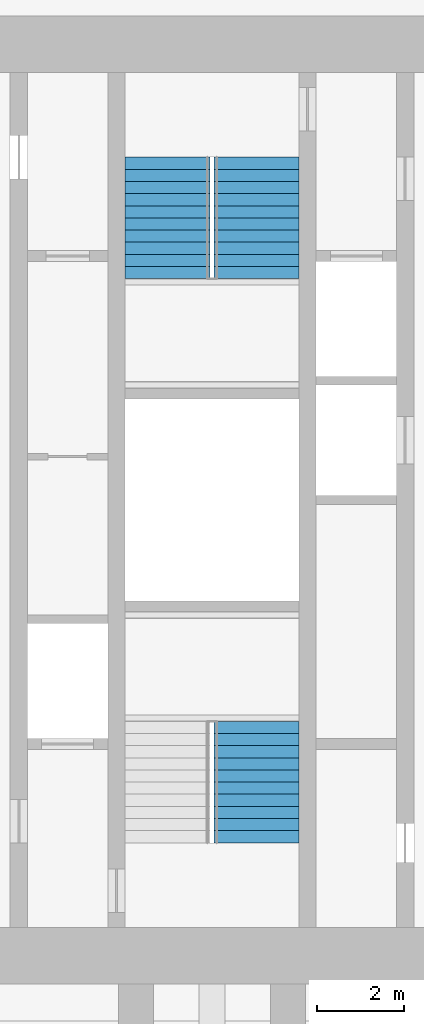
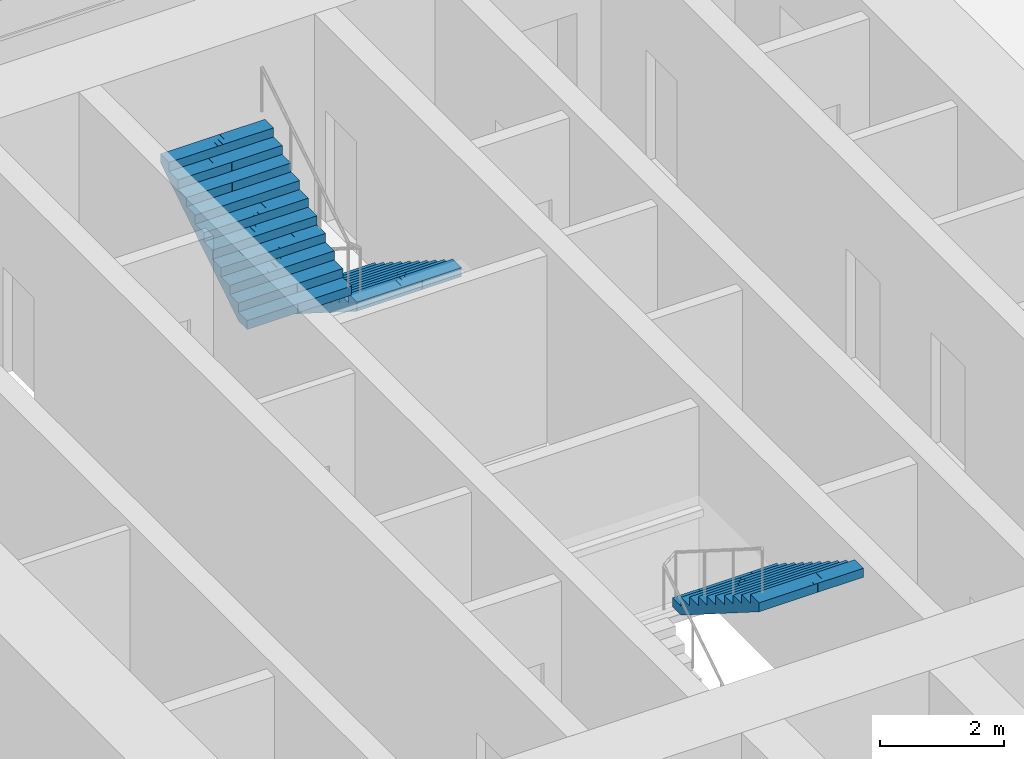
# One storey, part 14 of 15: 3 stair flights, 2 elements without a shape of their own.
"""IFC4 building model written with IfcOpenShell, lengths in metres."""

from ifc_helpers import new_model, si_unit, direction, frame, origin, place, context, subcontext, project, spatial, polyline, outline, extrude, material, type_object, element, aggregate, save


model = new_model("IFC4")

# Units and contexts
model_context = context("Model", 3, precision=1e-05, world=origin(), true_north=direction((0.0, 1.0)))
body_context = subcontext(model_context, "Body", "Model", "MODEL_VIEW")
ifc_project = project(units=[si_unit("LENGTHUNIT", "METRE"), si_unit("AREAUNIT", "SQUARE_METRE"), si_unit("VOLUMEUNIT", "CUBIC_METRE"), si_unit("PLANEANGLEUNIT", "RADIAN"), si_unit("MASSUNIT", "GRAM", prefix="KILO")], contexts=[model_context])

# Site, building, storey
site_placement = place(None, origin())
site = spatial("IfcSite", under=ifc_project, at=site_placement, CompositionType="ELEMENT")
building_placement = place(site_placement, origin())
building = spatial("IfcBuilding", under=site, at=building_placement, Name="Mizan Broadcast Tower", CompositionType="ELEMENT")
storey_placement = place(building_placement, frame((0.0, 0.0, 282.89990234375)))
storey = spatial("IfcBuildingStorey", under=building, at=storey_placement, Name="L67", CompositionType="ELEMENT", Elevation=282.89990234375)

# Stair, stair flight
ifc_material_1 = material(Name="Concrete C40/50", Category="concrete")
stair_type = type_object("IfcStairType", Name="EXIT STAIR", PredefinedType="HALF_TURN_STAIR", material=ifc_material_1)
stair_1_placement = place(storey_placement, origin())
stair_1 = element("IfcStair", 1, at=stair_1_placement, inside=storey, type_object=stair_type, Name="Stair A L67", PredefinedType="HALF_TURN_STAIR")
ifc_material_2 = material(Name="Concrete C40/50", Category="concrete")
stair_flight_type = type_object("IfcStairFlightType", Name="EXIT STAIR FLIGHT", PredefinedType="STRAIGHT", material=ifc_material_2)
stair_flight_1_placement = place(storey_placement, frame((1.02490234375, -5.10009765625, 1.9501953125), z_axis=(0.0, 0.0, 1.0), x_axis=(0.0, -1.0, 0.0)))
stair_flight_1 = element("IfcStairFlight", 2, at=stair_flight_1_placement, type_object=stair_flight_type, Name="A flight 2", NumberOfRisers=11, NumberOfTreads=10, PredefinedType="STRAIGHT", RiserHeight=0.177272727, TreadLength=0.28, context=body_context, shape_type="SweptSolid", body=[
    extrude(outline(polyline([(0.0, 0.0), (0.0, 0.17724609375), (0.280029296875, 0.17724609375), (0.280029296875, 0.3544921875), (0.56005859375, 0.3544921875), (0.56005859375, 0.53173828125), (0.840087890625, 0.53173828125), (0.840087890625, 0.708984375), (1.1201171875, 0.708984375), (1.1201171875, 0.886474609375), (1.39990234375, 0.886474609375), (1.39990234375, 1.063720703125), (1.679931640625, 1.063720703125), (1.679931640625, 1.240966796875), (1.9599609375, 1.240966796875), (1.9599609375, 1.418212890625), (2.239990234375, 1.418212890625), (2.239990234375, 1.595458984375), (2.52001953125, 1.595458984375), (2.52001953125, 1.772705078125), (2.800048828125, 1.772705078125), (2.800048828125, 1.949951171875), (2.800048828125, 1.59521484375), (0.2802734375, 0.0), (0.0, 0.0)])), frame((0.0, 0.97509765625, 0.0), z_axis=(0.0, -1.0, 0.0), x_axis=(1.0, 0.0, 0.0)), (0.0, 0.0, 1.0), 0.4873046875),
    extrude(outline(polyline([(0.0, 0.0), (0.0, 0.17724609375), (0.280029296875, 0.17724609375), (0.280029296875, 0.3544921875), (0.56005859375, 0.3544921875), (0.56005859375, 0.53173828125), (0.840087890625, 0.53173828125), (0.840087890625, 0.708984375), (1.1201171875, 0.708984375), (1.1201171875, 0.886474609375), (1.39990234375, 0.886474609375), (1.39990234375, 1.063720703125), (1.679931640625, 1.063720703125), (1.679931640625, 1.240966796875), (1.9599609375, 1.240966796875), (1.9599609375, 1.418212890625), (2.239990234375, 1.418212890625), (2.239990234375, 1.595458984375), (2.52001953125, 1.595458984375), (2.52001953125, 1.772705078125), (2.800048828125, 1.772705078125), (2.800048828125, 1.949951171875), (2.800048828125, 1.59521484375), (0.2802734375, 0.0), (0.0, 0.0)])), frame((0.0, 0.4873046875, 0.0), z_axis=(0.0, -1.0, 0.0), x_axis=(1.0, 0.0, 0.0)), (0.0, 0.0, 1.0), 0.2431640625),
    extrude(outline(polyline([(0.0, 0.0), (0.0, 0.17724609375), (0.280029296875, 0.17724609375), (0.280029296875, 0.3544921875), (0.56005859375, 0.3544921875), (0.56005859375, 0.53173828125), (0.840087890625, 0.53173828125), (0.840087890625, 0.708984375), (1.1201171875, 0.708984375), (1.1201171875, 0.886474609375), (1.39990234375, 0.886474609375), (1.39990234375, 1.063720703125), (1.679931640625, 1.063720703125), (1.679931640625, 1.240966796875), (1.9599609375, 1.240966796875), (1.9599609375, 1.418212890625), (2.239990234375, 1.418212890625), (2.239990234375, 1.595458984375), (2.52001953125, 1.595458984375), (2.52001953125, 1.772705078125), (2.800048828125, 1.772705078125), (2.800048828125, 1.949951171875), (2.800048828125, 1.59521484375), (0.2802734375, 0.0), (0.0, 0.0)])), frame((0.0, 0.24365234375, 0.0), z_axis=(0.0, -1.0, 0.0), x_axis=(1.0, 0.0, 0.0)), (0.0, 0.0, 1.0), 0.121337890625),
    extrude(outline(polyline([(0.0, 0.0), (0.0, 0.17724609375), (0.280029296875, 0.17724609375), (0.280029296875, 0.3544921875), (0.56005859375, 0.3544921875), (0.56005859375, 0.53173828125), (0.840087890625, 0.53173828125), (0.840087890625, 0.708984375), (1.1201171875, 0.708984375), (1.1201171875, 0.886474609375), (1.39990234375, 0.886474609375), (1.39990234375, 1.063720703125), (1.679931640625, 1.063720703125), (1.679931640625, 1.240966796875), (1.9599609375, 1.240966796875), (1.9599609375, 1.418212890625), (2.239990234375, 1.418212890625), (2.239990234375, 1.595458984375), (2.52001953125, 1.595458984375), (2.52001953125, 1.772705078125), (2.800048828125, 1.772705078125), (2.800048828125, 1.949951171875), (2.800048828125, 1.59521484375), (0.2802734375, 0.0), (0.0, 0.0)])), frame((0.0, 0.121826171875, 0.0), z_axis=(0.0, -1.0, 0.0), x_axis=(1.0, 0.0, 0.0)), (0.0, 0.0, 1.0), 0.060546875),
    extrude(outline(polyline([(0.0, 0.0), (0.0, 0.17724609375), (0.280029296875, 0.17724609375), (0.280029296875, 0.3544921875), (0.56005859375, 0.3544921875), (0.56005859375, 0.53173828125), (0.840087890625, 0.53173828125), (0.840087890625, 0.708984375), (1.1201171875, 0.708984375), (1.1201171875, 0.886474609375), (1.39990234375, 0.886474609375), (1.39990234375, 1.063720703125), (1.679931640625, 1.063720703125), (1.679931640625, 1.240966796875), (1.9599609375, 1.240966796875), (1.9599609375, 1.418212890625), (2.239990234375, 1.418212890625), (2.239990234375, 1.595458984375), (2.52001953125, 1.595458984375), (2.52001953125, 1.772705078125), (2.800048828125, 1.772705078125), (2.800048828125, 1.949951171875), (2.800048828125, 1.59521484375), (0.2802734375, 0.0), (0.0, 0.0)])), frame((0.0, 0.060791015625, 0.0), z_axis=(0.0, -1.0, 0.0), x_axis=(1.0, 0.0, 0.0)), (0.0, 0.0, 1.0), 0.030029296875),
    extrude(outline(polyline([(0.0, 0.0), (0.0, 0.17724609375), (0.280029296875, 0.17724609375), (0.280029296875, 0.3544921875), (0.56005859375, 0.3544921875), (0.56005859375, 0.53173828125), (0.840087890625, 0.53173828125), (0.840087890625, 0.708984375), (1.1201171875, 0.708984375), (1.1201171875, 0.886474609375), (1.39990234375, 0.886474609375), (1.39990234375, 1.063720703125), (1.679931640625, 1.063720703125), (1.679931640625, 1.240966796875), (1.9599609375, 1.240966796875), (1.9599609375, 1.418212890625), (2.239990234375, 1.418212890625), (2.239990234375, 1.595458984375), (2.52001953125, 1.595458984375), (2.52001953125, 1.772705078125), (2.800048828125, 1.772705078125), (2.800048828125, 1.949951171875), (2.800048828125, 1.59521484375), (0.2802734375, 0.0), (0.0, 0.0)])), frame((0.0, 0.0302734375, 0.0), z_axis=(0.0, -1.0, 0.0), x_axis=(1.0, 0.0, 0.0)), (0.0, 0.0, 1.0), 0.060302734375),
    extrude(outline(polyline([(0.0, 0.0), (0.0, 0.17724609375), (0.280029296875, 0.17724609375), (0.280029296875, 0.3544921875), (0.56005859375, 0.3544921875), (0.56005859375, 0.53173828125), (0.840087890625, 0.53173828125), (0.840087890625, 0.708984375), (1.1201171875, 0.708984375), (1.1201171875, 0.886474609375), (1.39990234375, 0.886474609375), (1.39990234375, 1.063720703125), (1.679931640625, 1.063720703125), (1.679931640625, 1.240966796875), (1.9599609375, 1.240966796875), (1.9599609375, 1.418212890625), (2.239990234375, 1.418212890625), (2.239990234375, 1.595458984375), (2.52001953125, 1.595458984375), (2.52001953125, 1.772705078125), (2.800048828125, 1.772705078125), (2.800048828125, 1.949951171875), (2.800048828125, 1.59521484375), (0.2802734375, 0.0), (0.0, 0.0)])), frame((0.0, -0.030517578125, 0.0), z_axis=(0.0, -1.0, 0.0), x_axis=(1.0, 0.0, 0.0)), (0.0, 0.0, 1.0), 0.030029296875),
    extrude(outline(polyline([(0.0, 0.0), (0.0, 0.17724609375), (0.280029296875, 0.17724609375), (0.280029296875, 0.3544921875), (0.56005859375, 0.3544921875), (0.56005859375, 0.53173828125), (0.840087890625, 0.53173828125), (0.840087890625, 0.708984375), (1.1201171875, 0.708984375), (1.1201171875, 0.886474609375), (1.39990234375, 0.886474609375), (1.39990234375, 1.063720703125), (1.679931640625, 1.063720703125), (1.679931640625, 1.240966796875), (1.9599609375, 1.240966796875), (1.9599609375, 1.418212890625), (2.239990234375, 1.418212890625), (2.239990234375, 1.595458984375), (2.52001953125, 1.595458984375), (2.52001953125, 1.772705078125), (2.800048828125, 1.772705078125), (2.800048828125, 1.949951171875), (2.800048828125, 1.59521484375), (0.2802734375, 0.0), (0.0, 0.0)])), frame((0.0, -0.06103515625, 0.0), z_axis=(0.0, -1.0, 0.0), x_axis=(1.0, 0.0, 0.0)), (0.0, 0.0, 1.0), 0.060546875),
    extrude(outline(polyline([(0.0, 0.0), (0.0, 0.17724609375), (0.280029296875, 0.17724609375), (0.280029296875, 0.3544921875), (0.56005859375, 0.3544921875), (0.56005859375, 0.53173828125), (0.840087890625, 0.53173828125), (0.840087890625, 0.708984375), (1.1201171875, 0.708984375), (1.1201171875, 0.886474609375), (1.39990234375, 0.886474609375), (1.39990234375, 1.063720703125), (1.679931640625, 1.063720703125), (1.679931640625, 1.240966796875), (1.9599609375, 1.240966796875), (1.9599609375, 1.418212890625), (2.239990234375, 1.418212890625), (2.239990234375, 1.595458984375), (2.52001953125, 1.595458984375), (2.52001953125, 1.772705078125), (2.800048828125, 1.772705078125), (2.800048828125, 1.949951171875), (2.800048828125, 1.59521484375), (0.2802734375, 0.0), (0.0, 0.0)])), frame((0.0, -0.1220703125, 0.0), z_axis=(0.0, -1.0, 0.0), x_axis=(1.0, 0.0, 0.0)), (0.0, 0.0, 1.0), 0.121337890625),
    extrude(outline(polyline([(0.0, 0.0), (0.0, 0.17724609375), (0.280029296875, 0.17724609375), (0.280029296875, 0.3544921875), (0.56005859375, 0.3544921875), (0.56005859375, 0.53173828125), (0.840087890625, 0.53173828125), (0.840087890625, 0.708984375), (1.1201171875, 0.708984375), (1.1201171875, 0.886474609375), (1.39990234375, 0.886474609375), (1.39990234375, 1.063720703125), (1.679931640625, 1.063720703125), (1.679931640625, 1.240966796875), (1.9599609375, 1.240966796875), (1.9599609375, 1.418212890625), (2.239990234375, 1.418212890625), (2.239990234375, 1.595458984375), (2.52001953125, 1.595458984375), (2.52001953125, 1.772705078125), (2.800048828125, 1.772705078125), (2.800048828125, 1.949951171875), (2.800048828125, 1.59521484375), (0.2802734375, 0.0), (0.0, 0.0)])), frame((0.0, -0.243896484375, 0.0), z_axis=(0.0, -1.0, 0.0), x_axis=(1.0, 0.0, 0.0)), (0.0, 0.0, 1.0), 0.2431640625),
    extrude(outline(polyline([(0.0, 0.0), (0.0, 0.17724609375), (0.280029296875, 0.17724609375), (0.280029296875, 0.3544921875), (0.56005859375, 0.3544921875), (0.56005859375, 0.53173828125), (0.840087890625, 0.53173828125), (0.840087890625, 0.708984375), (1.1201171875, 0.708984375), (1.1201171875, 0.886474609375), (1.39990234375, 0.886474609375), (1.39990234375, 1.063720703125), (1.679931640625, 1.063720703125), (1.679931640625, 1.240966796875), (1.9599609375, 1.240966796875), (1.9599609375, 1.418212890625), (2.239990234375, 1.418212890625), (2.239990234375, 1.595458984375), (2.52001953125, 1.595458984375), (2.52001953125, 1.772705078125), (2.800048828125, 1.772705078125), (2.800048828125, 1.949951171875), (2.800048828125, 1.59521484375), (0.2802734375, 0.0), (0.0, 0.0)])), frame((0.0, -0.487548828125, 0.0), z_axis=(0.0, -1.0, 0.0), x_axis=(1.0, 0.0, 0.0)), (0.0, 0.0, 1.0), 0.4873046875),
])
aggregate(stair_1, [stair_flight_1])

# Stair, stair flights
stair_2_placement = place(storey_placement, origin())
stair_2 = element("IfcStair", 3, at=stair_2_placement, inside=storey, type_object=stair_type, Name="Stair B L67", PredefinedType="HALF_TURN_STAIR")
stair_flight_2_placement = place(storey_placement, frame((1.02490234375, 7.89990234375, 0.0), z_axis=(0.0, 0.0, 1.0), x_axis=(0.0, -1.0, 0.0)))
stair_flight_2 = element("IfcStairFlight", 4, at=stair_flight_2_placement, type_object=stair_flight_type, Name="B flight 1", NumberOfRisers=11, NumberOfTreads=10, PredefinedType="STRAIGHT", RiserHeight=0.177272727, TreadLength=0.28, context=body_context, shape_type="SweptSolid", body=[
    extrude(outline(polyline([(0.0, 0.0), (0.0, 0.17724609375), (0.280029296875, 0.17724609375), (0.280029296875, 0.3544921875), (0.56005859375, 0.3544921875), (0.56005859375, 0.53173828125), (0.840087890625, 0.53173828125), (0.840087890625, 0.708984375), (1.1201171875, 0.708984375), (1.1201171875, 0.886474609375), (1.39990234375, 0.886474609375), (1.39990234375, 1.063720703125), (1.679931640625, 1.063720703125), (1.679931640625, 1.240966796875), (1.9599609375, 1.240966796875), (1.9599609375, 1.418212890625), (2.239990234375, 1.418212890625), (2.239990234375, 1.595458984375), (2.52001953125, 1.595458984375), (2.52001953125, 1.772705078125), (2.800048828125, 1.772705078125), (2.800048828125, 1.949951171875), (2.800048828125, 1.59521484375), (0.2802734375, 0.0), (0.0, 0.0)])), frame((0.0, 0.97509765625, 0.0), z_axis=(0.0, -1.0, 0.0), x_axis=(1.0, 0.0, 0.0)), (0.0, 0.0, 1.0), 0.4873046875),
    extrude(outline(polyline([(0.0, 0.0), (0.0, 0.17724609375), (0.280029296875, 0.17724609375), (0.280029296875, 0.3544921875), (0.56005859375, 0.3544921875), (0.56005859375, 0.53173828125), (0.840087890625, 0.53173828125), (0.840087890625, 0.708984375), (1.1201171875, 0.708984375), (1.1201171875, 0.886474609375), (1.39990234375, 0.886474609375), (1.39990234375, 1.063720703125), (1.679931640625, 1.063720703125), (1.679931640625, 1.240966796875), (1.9599609375, 1.240966796875), (1.9599609375, 1.418212890625), (2.239990234375, 1.418212890625), (2.239990234375, 1.595458984375), (2.52001953125, 1.595458984375), (2.52001953125, 1.772705078125), (2.800048828125, 1.772705078125), (2.800048828125, 1.949951171875), (2.800048828125, 1.59521484375), (0.2802734375, 0.0), (0.0, 0.0)])), frame((0.0, 0.4873046875, 0.0), z_axis=(0.0, -1.0, 0.0), x_axis=(1.0, 0.0, 0.0)), (0.0, 0.0, 1.0), 0.2431640625),
    extrude(outline(polyline([(0.0, 0.0), (0.0, 0.17724609375), (0.280029296875, 0.17724609375), (0.280029296875, 0.3544921875), (0.56005859375, 0.3544921875), (0.56005859375, 0.53173828125), (0.840087890625, 0.53173828125), (0.840087890625, 0.708984375), (1.1201171875, 0.708984375), (1.1201171875, 0.886474609375), (1.39990234375, 0.886474609375), (1.39990234375, 1.063720703125), (1.679931640625, 1.063720703125), (1.679931640625, 1.240966796875), (1.9599609375, 1.240966796875), (1.9599609375, 1.418212890625), (2.239990234375, 1.418212890625), (2.239990234375, 1.595458984375), (2.52001953125, 1.595458984375), (2.52001953125, 1.772705078125), (2.800048828125, 1.772705078125), (2.800048828125, 1.949951171875), (2.800048828125, 1.59521484375), (0.2802734375, 0.0), (0.0, 0.0)])), frame((0.0, 0.24365234375, 0.0), z_axis=(0.0, -1.0, 0.0), x_axis=(1.0, 0.0, 0.0)), (0.0, 0.0, 1.0), 0.121337890625),
    extrude(outline(polyline([(0.0, 0.0), (0.0, 0.17724609375), (0.280029296875, 0.17724609375), (0.280029296875, 0.3544921875), (0.56005859375, 0.3544921875), (0.56005859375, 0.53173828125), (0.840087890625, 0.53173828125), (0.840087890625, 0.708984375), (1.1201171875, 0.708984375), (1.1201171875, 0.886474609375), (1.39990234375, 0.886474609375), (1.39990234375, 1.063720703125), (1.679931640625, 1.063720703125), (1.679931640625, 1.240966796875), (1.9599609375, 1.240966796875), (1.9599609375, 1.418212890625), (2.239990234375, 1.418212890625), (2.239990234375, 1.595458984375), (2.52001953125, 1.595458984375), (2.52001953125, 1.772705078125), (2.800048828125, 1.772705078125), (2.800048828125, 1.949951171875), (2.800048828125, 1.59521484375), (0.2802734375, 0.0), (0.0, 0.0)])), frame((0.0, 0.121826171875, 0.0), z_axis=(0.0, -1.0, 0.0), x_axis=(1.0, 0.0, 0.0)), (0.0, 0.0, 1.0), 0.060546875),
    extrude(outline(polyline([(0.0, 0.0), (0.0, 0.17724609375), (0.280029296875, 0.17724609375), (0.280029296875, 0.3544921875), (0.56005859375, 0.3544921875), (0.56005859375, 0.53173828125), (0.840087890625, 0.53173828125), (0.840087890625, 0.708984375), (1.1201171875, 0.708984375), (1.1201171875, 0.886474609375), (1.39990234375, 0.886474609375), (1.39990234375, 1.063720703125), (1.679931640625, 1.063720703125), (1.679931640625, 1.240966796875), (1.9599609375, 1.240966796875), (1.9599609375, 1.418212890625), (2.239990234375, 1.418212890625), (2.239990234375, 1.595458984375), (2.52001953125, 1.595458984375), (2.52001953125, 1.772705078125), (2.800048828125, 1.772705078125), (2.800048828125, 1.949951171875), (2.800048828125, 1.59521484375), (0.2802734375, 0.0), (0.0, 0.0)])), frame((0.0, 0.060791015625, 0.0), z_axis=(0.0, -1.0, 0.0), x_axis=(1.0, 0.0, 0.0)), (0.0, 0.0, 1.0), 0.030029296875),
    extrude(outline(polyline([(0.0, 0.0), (0.0, 0.17724609375), (0.280029296875, 0.17724609375), (0.280029296875, 0.3544921875), (0.56005859375, 0.3544921875), (0.56005859375, 0.53173828125), (0.840087890625, 0.53173828125), (0.840087890625, 0.708984375), (1.1201171875, 0.708984375), (1.1201171875, 0.886474609375), (1.39990234375, 0.886474609375), (1.39990234375, 1.063720703125), (1.679931640625, 1.063720703125), (1.679931640625, 1.240966796875), (1.9599609375, 1.240966796875), (1.9599609375, 1.418212890625), (2.239990234375, 1.418212890625), (2.239990234375, 1.595458984375), (2.52001953125, 1.595458984375), (2.52001953125, 1.772705078125), (2.800048828125, 1.772705078125), (2.800048828125, 1.949951171875), (2.800048828125, 1.59521484375), (0.2802734375, 0.0), (0.0, 0.0)])), frame((0.0, 0.0302734375, 0.0), z_axis=(0.0, -1.0, 0.0), x_axis=(1.0, 0.0, 0.0)), (0.0, 0.0, 1.0), 0.060302734375),
    extrude(outline(polyline([(0.0, 0.0), (0.0, 0.17724609375), (0.280029296875, 0.17724609375), (0.280029296875, 0.3544921875), (0.56005859375, 0.3544921875), (0.56005859375, 0.53173828125), (0.840087890625, 0.53173828125), (0.840087890625, 0.708984375), (1.1201171875, 0.708984375), (1.1201171875, 0.886474609375), (1.39990234375, 0.886474609375), (1.39990234375, 1.063720703125), (1.679931640625, 1.063720703125), (1.679931640625, 1.240966796875), (1.9599609375, 1.240966796875), (1.9599609375, 1.418212890625), (2.239990234375, 1.418212890625), (2.239990234375, 1.595458984375), (2.52001953125, 1.595458984375), (2.52001953125, 1.772705078125), (2.800048828125, 1.772705078125), (2.800048828125, 1.949951171875), (2.800048828125, 1.59521484375), (0.2802734375, 0.0), (0.0, 0.0)])), frame((0.0, -0.030517578125, 0.0), z_axis=(0.0, -1.0, 0.0), x_axis=(1.0, 0.0, 0.0)), (0.0, 0.0, 1.0), 0.030029296875),
    extrude(outline(polyline([(0.0, 0.0), (0.0, 0.17724609375), (0.280029296875, 0.17724609375), (0.280029296875, 0.3544921875), (0.56005859375, 0.3544921875), (0.56005859375, 0.53173828125), (0.840087890625, 0.53173828125), (0.840087890625, 0.708984375), (1.1201171875, 0.708984375), (1.1201171875, 0.886474609375), (1.39990234375, 0.886474609375), (1.39990234375, 1.063720703125), (1.679931640625, 1.063720703125), (1.679931640625, 1.240966796875), (1.9599609375, 1.240966796875), (1.9599609375, 1.418212890625), (2.239990234375, 1.418212890625), (2.239990234375, 1.595458984375), (2.52001953125, 1.595458984375), (2.52001953125, 1.772705078125), (2.800048828125, 1.772705078125), (2.800048828125, 1.949951171875), (2.800048828125, 1.59521484375), (0.2802734375, 0.0), (0.0, 0.0)])), frame((0.0, -0.06103515625, 0.0), z_axis=(0.0, -1.0, 0.0), x_axis=(1.0, 0.0, 0.0)), (0.0, 0.0, 1.0), 0.060546875),
    extrude(outline(polyline([(0.0, 0.0), (0.0, 0.17724609375), (0.280029296875, 0.17724609375), (0.280029296875, 0.3544921875), (0.56005859375, 0.3544921875), (0.56005859375, 0.53173828125), (0.840087890625, 0.53173828125), (0.840087890625, 0.708984375), (1.1201171875, 0.708984375), (1.1201171875, 0.886474609375), (1.39990234375, 0.886474609375), (1.39990234375, 1.063720703125), (1.679931640625, 1.063720703125), (1.679931640625, 1.240966796875), (1.9599609375, 1.240966796875), (1.9599609375, 1.418212890625), (2.239990234375, 1.418212890625), (2.239990234375, 1.595458984375), (2.52001953125, 1.595458984375), (2.52001953125, 1.772705078125), (2.800048828125, 1.772705078125), (2.800048828125, 1.949951171875), (2.800048828125, 1.59521484375), (0.2802734375, 0.0), (0.0, 0.0)])), frame((0.0, -0.1220703125, 0.0), z_axis=(0.0, -1.0, 0.0), x_axis=(1.0, 0.0, 0.0)), (0.0, 0.0, 1.0), 0.121337890625),
    extrude(outline(polyline([(0.0, 0.0), (0.0, 0.17724609375), (0.280029296875, 0.17724609375), (0.280029296875, 0.3544921875), (0.56005859375, 0.3544921875), (0.56005859375, 0.53173828125), (0.840087890625, 0.53173828125), (0.840087890625, 0.708984375), (1.1201171875, 0.708984375), (1.1201171875, 0.886474609375), (1.39990234375, 0.886474609375), (1.39990234375, 1.063720703125), (1.679931640625, 1.063720703125), (1.679931640625, 1.240966796875), (1.9599609375, 1.240966796875), (1.9599609375, 1.418212890625), (2.239990234375, 1.418212890625), (2.239990234375, 1.595458984375), (2.52001953125, 1.595458984375), (2.52001953125, 1.772705078125), (2.800048828125, 1.772705078125), (2.800048828125, 1.949951171875), (2.800048828125, 1.59521484375), (0.2802734375, 0.0), (0.0, 0.0)])), frame((0.0, -0.243896484375, 0.0), z_axis=(0.0, -1.0, 0.0), x_axis=(1.0, 0.0, 0.0)), (0.0, 0.0, 1.0), 0.2431640625),
    extrude(outline(polyline([(0.0, 0.0), (0.0, 0.17724609375), (0.280029296875, 0.17724609375), (0.280029296875, 0.3544921875), (0.56005859375, 0.3544921875), (0.56005859375, 0.53173828125), (0.840087890625, 0.53173828125), (0.840087890625, 0.708984375), (1.1201171875, 0.708984375), (1.1201171875, 0.886474609375), (1.39990234375, 0.886474609375), (1.39990234375, 1.063720703125), (1.679931640625, 1.063720703125), (1.679931640625, 1.240966796875), (1.9599609375, 1.240966796875), (1.9599609375, 1.418212890625), (2.239990234375, 1.418212890625), (2.239990234375, 1.595458984375), (2.52001953125, 1.595458984375), (2.52001953125, 1.772705078125), (2.800048828125, 1.772705078125), (2.800048828125, 1.949951171875), (2.800048828125, 1.59521484375), (0.2802734375, 0.0), (0.0, 0.0)])), frame((0.0, -0.487548828125, 0.0), z_axis=(0.0, -1.0, 0.0), x_axis=(1.0, 0.0, 0.0)), (0.0, 0.0, 1.0), 0.4873046875),
])
stair_flight_3_placement = place(storey_placement, frame((-1.02490234375, 5.10009765625, 1.9501953125), z_axis=(0.0, 0.0, 1.0), x_axis=(0.0, 1.0, 0.0)))
stair_flight_3 = element("IfcStairFlight", 5, at=stair_flight_3_placement, type_object=stair_flight_type, Name="B flight 2", NumberOfRisers=11, NumberOfTreads=10, PredefinedType="STRAIGHT", RiserHeight=0.177272727, TreadLength=0.28, context=body_context, shape_type="SweptSolid", body=[
    extrude(outline(polyline([(0.0, 0.0), (0.0, 0.17724609375), (0.280029296875, 0.17724609375), (0.280029296875, 0.3544921875), (0.56005859375, 0.3544921875), (0.56005859375, 0.53173828125), (0.840087890625, 0.53173828125), (0.840087890625, 0.708984375), (1.1201171875, 0.708984375), (1.1201171875, 0.886474609375), (1.39990234375, 0.886474609375), (1.39990234375, 1.063720703125), (1.679931640625, 1.063720703125), (1.679931640625, 1.240966796875), (1.9599609375, 1.240966796875), (1.9599609375, 1.418212890625), (2.239990234375, 1.418212890625), (2.239990234375, 1.595458984375), (2.52001953125, 1.595458984375), (2.52001953125, 1.772705078125), (2.800048828125, 1.772705078125), (2.800048828125, 1.949951171875), (2.800048828125, 1.59521484375), (0.2802734375, 0.0), (0.0, 0.0)])), frame((0.0, 0.97509765625, 0.0), z_axis=(0.0, -1.0, 0.0), x_axis=(1.0, 0.0, 0.0)), (0.0, 0.0, 1.0), 0.4873046875),
    extrude(outline(polyline([(0.0, 0.0), (0.0, 0.17724609375), (0.280029296875, 0.17724609375), (0.280029296875, 0.3544921875), (0.56005859375, 0.3544921875), (0.56005859375, 0.53173828125), (0.840087890625, 0.53173828125), (0.840087890625, 0.708984375), (1.1201171875, 0.708984375), (1.1201171875, 0.886474609375), (1.39990234375, 0.886474609375), (1.39990234375, 1.063720703125), (1.679931640625, 1.063720703125), (1.679931640625, 1.240966796875), (1.9599609375, 1.240966796875), (1.9599609375, 1.418212890625), (2.239990234375, 1.418212890625), (2.239990234375, 1.595458984375), (2.52001953125, 1.595458984375), (2.52001953125, 1.772705078125), (2.800048828125, 1.772705078125), (2.800048828125, 1.949951171875), (2.800048828125, 1.59521484375), (0.2802734375, 0.0), (0.0, 0.0)])), frame((0.0, 0.4873046875, 0.0), z_axis=(0.0, -1.0, 0.0), x_axis=(1.0, 0.0, 0.0)), (0.0, 0.0, 1.0), 0.2431640625),
    extrude(outline(polyline([(0.0, 0.0), (0.0, 0.17724609375), (0.280029296875, 0.17724609375), (0.280029296875, 0.3544921875), (0.56005859375, 0.3544921875), (0.56005859375, 0.53173828125), (0.840087890625, 0.53173828125), (0.840087890625, 0.708984375), (1.1201171875, 0.708984375), (1.1201171875, 0.886474609375), (1.39990234375, 0.886474609375), (1.39990234375, 1.063720703125), (1.679931640625, 1.063720703125), (1.679931640625, 1.240966796875), (1.9599609375, 1.240966796875), (1.9599609375, 1.418212890625), (2.239990234375, 1.418212890625), (2.239990234375, 1.595458984375), (2.52001953125, 1.595458984375), (2.52001953125, 1.772705078125), (2.800048828125, 1.772705078125), (2.800048828125, 1.949951171875), (2.800048828125, 1.59521484375), (0.2802734375, 0.0), (0.0, 0.0)])), frame((0.0, 0.24365234375, 0.0), z_axis=(0.0, -1.0, 0.0), x_axis=(1.0, 0.0, 0.0)), (0.0, 0.0, 1.0), 0.121337890625),
    extrude(outline(polyline([(0.0, 0.0), (0.0, 0.17724609375), (0.280029296875, 0.17724609375), (0.280029296875, 0.3544921875), (0.56005859375, 0.3544921875), (0.56005859375, 0.53173828125), (0.840087890625, 0.53173828125), (0.840087890625, 0.708984375), (1.1201171875, 0.708984375), (1.1201171875, 0.886474609375), (1.39990234375, 0.886474609375), (1.39990234375, 1.063720703125), (1.679931640625, 1.063720703125), (1.679931640625, 1.240966796875), (1.9599609375, 1.240966796875), (1.9599609375, 1.418212890625), (2.239990234375, 1.418212890625), (2.239990234375, 1.595458984375), (2.52001953125, 1.595458984375), (2.52001953125, 1.772705078125), (2.800048828125, 1.772705078125), (2.800048828125, 1.949951171875), (2.800048828125, 1.59521484375), (0.2802734375, 0.0), (0.0, 0.0)])), frame((0.0, 0.121826171875, 0.0), z_axis=(0.0, -1.0, 0.0), x_axis=(1.0, 0.0, 0.0)), (0.0, 0.0, 1.0), 0.060546875),
    extrude(outline(polyline([(0.0, 0.0), (0.0, 0.17724609375), (0.280029296875, 0.17724609375), (0.280029296875, 0.3544921875), (0.56005859375, 0.3544921875), (0.56005859375, 0.53173828125), (0.840087890625, 0.53173828125), (0.840087890625, 0.708984375), (1.1201171875, 0.708984375), (1.1201171875, 0.886474609375), (1.39990234375, 0.886474609375), (1.39990234375, 1.063720703125), (1.679931640625, 1.063720703125), (1.679931640625, 1.240966796875), (1.9599609375, 1.240966796875), (1.9599609375, 1.418212890625), (2.239990234375, 1.418212890625), (2.239990234375, 1.595458984375), (2.52001953125, 1.595458984375), (2.52001953125, 1.772705078125), (2.800048828125, 1.772705078125), (2.800048828125, 1.949951171875), (2.800048828125, 1.59521484375), (0.2802734375, 0.0), (0.0, 0.0)])), frame((0.0, 0.060791015625, 0.0), z_axis=(0.0, -1.0, 0.0), x_axis=(1.0, 0.0, 0.0)), (0.0, 0.0, 1.0), 0.030029296875),
    extrude(outline(polyline([(0.0, 0.0), (0.0, 0.17724609375), (0.280029296875, 0.17724609375), (0.280029296875, 0.3544921875), (0.56005859375, 0.3544921875), (0.56005859375, 0.53173828125), (0.840087890625, 0.53173828125), (0.840087890625, 0.708984375), (1.1201171875, 0.708984375), (1.1201171875, 0.886474609375), (1.39990234375, 0.886474609375), (1.39990234375, 1.063720703125), (1.679931640625, 1.063720703125), (1.679931640625, 1.240966796875), (1.9599609375, 1.240966796875), (1.9599609375, 1.418212890625), (2.239990234375, 1.418212890625), (2.239990234375, 1.595458984375), (2.52001953125, 1.595458984375), (2.52001953125, 1.772705078125), (2.800048828125, 1.772705078125), (2.800048828125, 1.949951171875), (2.800048828125, 1.59521484375), (0.2802734375, 0.0), (0.0, 0.0)])), frame((0.0, 0.0302734375, 0.0), z_axis=(0.0, -1.0, 0.0), x_axis=(1.0, 0.0, 0.0)), (0.0, 0.0, 1.0), 0.060302734375),
    extrude(outline(polyline([(0.0, 0.0), (0.0, 0.17724609375), (0.280029296875, 0.17724609375), (0.280029296875, 0.3544921875), (0.56005859375, 0.3544921875), (0.56005859375, 0.53173828125), (0.840087890625, 0.53173828125), (0.840087890625, 0.708984375), (1.1201171875, 0.708984375), (1.1201171875, 0.886474609375), (1.39990234375, 0.886474609375), (1.39990234375, 1.063720703125), (1.679931640625, 1.063720703125), (1.679931640625, 1.240966796875), (1.9599609375, 1.240966796875), (1.9599609375, 1.418212890625), (2.239990234375, 1.418212890625), (2.239990234375, 1.595458984375), (2.52001953125, 1.595458984375), (2.52001953125, 1.772705078125), (2.800048828125, 1.772705078125), (2.800048828125, 1.949951171875), (2.800048828125, 1.59521484375), (0.2802734375, 0.0), (0.0, 0.0)])), frame((0.0, -0.030517578125, 0.0), z_axis=(0.0, -1.0, 0.0), x_axis=(1.0, 0.0, 0.0)), (0.0, 0.0, 1.0), 0.030029296875),
    extrude(outline(polyline([(0.0, 0.0), (0.0, 0.17724609375), (0.280029296875, 0.17724609375), (0.280029296875, 0.3544921875), (0.56005859375, 0.3544921875), (0.56005859375, 0.53173828125), (0.840087890625, 0.53173828125), (0.840087890625, 0.708984375), (1.1201171875, 0.708984375), (1.1201171875, 0.886474609375), (1.39990234375, 0.886474609375), (1.39990234375, 1.063720703125), (1.679931640625, 1.063720703125), (1.679931640625, 1.240966796875), (1.9599609375, 1.240966796875), (1.9599609375, 1.418212890625), (2.239990234375, 1.418212890625), (2.239990234375, 1.595458984375), (2.52001953125, 1.595458984375), (2.52001953125, 1.772705078125), (2.800048828125, 1.772705078125), (2.800048828125, 1.949951171875), (2.800048828125, 1.59521484375), (0.2802734375, 0.0), (0.0, 0.0)])), frame((0.0, -0.06103515625, 0.0), z_axis=(0.0, -1.0, 0.0), x_axis=(1.0, 0.0, 0.0)), (0.0, 0.0, 1.0), 0.060546875),
    extrude(outline(polyline([(0.0, 0.0), (0.0, 0.17724609375), (0.280029296875, 0.17724609375), (0.280029296875, 0.3544921875), (0.56005859375, 0.3544921875), (0.56005859375, 0.53173828125), (0.840087890625, 0.53173828125), (0.840087890625, 0.708984375), (1.1201171875, 0.708984375), (1.1201171875, 0.886474609375), (1.39990234375, 0.886474609375), (1.39990234375, 1.063720703125), (1.679931640625, 1.063720703125), (1.679931640625, 1.240966796875), (1.9599609375, 1.240966796875), (1.9599609375, 1.418212890625), (2.239990234375, 1.418212890625), (2.239990234375, 1.595458984375), (2.52001953125, 1.595458984375), (2.52001953125, 1.772705078125), (2.800048828125, 1.772705078125), (2.800048828125, 1.949951171875), (2.800048828125, 1.59521484375), (0.2802734375, 0.0), (0.0, 0.0)])), frame((0.0, -0.1220703125, 0.0), z_axis=(0.0, -1.0, 0.0), x_axis=(1.0, 0.0, 0.0)), (0.0, 0.0, 1.0), 0.121337890625),
    extrude(outline(polyline([(0.0, 0.0), (0.0, 0.17724609375), (0.280029296875, 0.17724609375), (0.280029296875, 0.3544921875), (0.56005859375, 0.3544921875), (0.56005859375, 0.53173828125), (0.840087890625, 0.53173828125), (0.840087890625, 0.708984375), (1.1201171875, 0.708984375), (1.1201171875, 0.886474609375), (1.39990234375, 0.886474609375), (1.39990234375, 1.063720703125), (1.679931640625, 1.063720703125), (1.679931640625, 1.240966796875), (1.9599609375, 1.240966796875), (1.9599609375, 1.418212890625), (2.239990234375, 1.418212890625), (2.239990234375, 1.595458984375), (2.52001953125, 1.595458984375), (2.52001953125, 1.772705078125), (2.800048828125, 1.772705078125), (2.800048828125, 1.949951171875), (2.800048828125, 1.59521484375), (0.2802734375, 0.0), (0.0, 0.0)])), frame((0.0, -0.243896484375, 0.0), z_axis=(0.0, -1.0, 0.0), x_axis=(1.0, 0.0, 0.0)), (0.0, 0.0, 1.0), 0.2431640625),
    extrude(outline(polyline([(0.0, 0.0), (0.0, 0.17724609375), (0.280029296875, 0.17724609375), (0.280029296875, 0.3544921875), (0.56005859375, 0.3544921875), (0.56005859375, 0.53173828125), (0.840087890625, 0.53173828125), (0.840087890625, 0.708984375), (1.1201171875, 0.708984375), (1.1201171875, 0.886474609375), (1.39990234375, 0.886474609375), (1.39990234375, 1.063720703125), (1.679931640625, 1.063720703125), (1.679931640625, 1.240966796875), (1.9599609375, 1.240966796875), (1.9599609375, 1.418212890625), (2.239990234375, 1.418212890625), (2.239990234375, 1.595458984375), (2.52001953125, 1.595458984375), (2.52001953125, 1.772705078125), (2.800048828125, 1.772705078125), (2.800048828125, 1.949951171875), (2.800048828125, 1.59521484375), (0.2802734375, 0.0), (0.0, 0.0)])), frame((0.0, -0.487548828125, 0.0), z_axis=(0.0, -1.0, 0.0), x_axis=(1.0, 0.0, 0.0)), (0.0, 0.0, 1.0), 0.4873046875),
])
aggregate(stair_2, [stair_flight_2, stair_flight_3])

save(model, "model.ifc")
